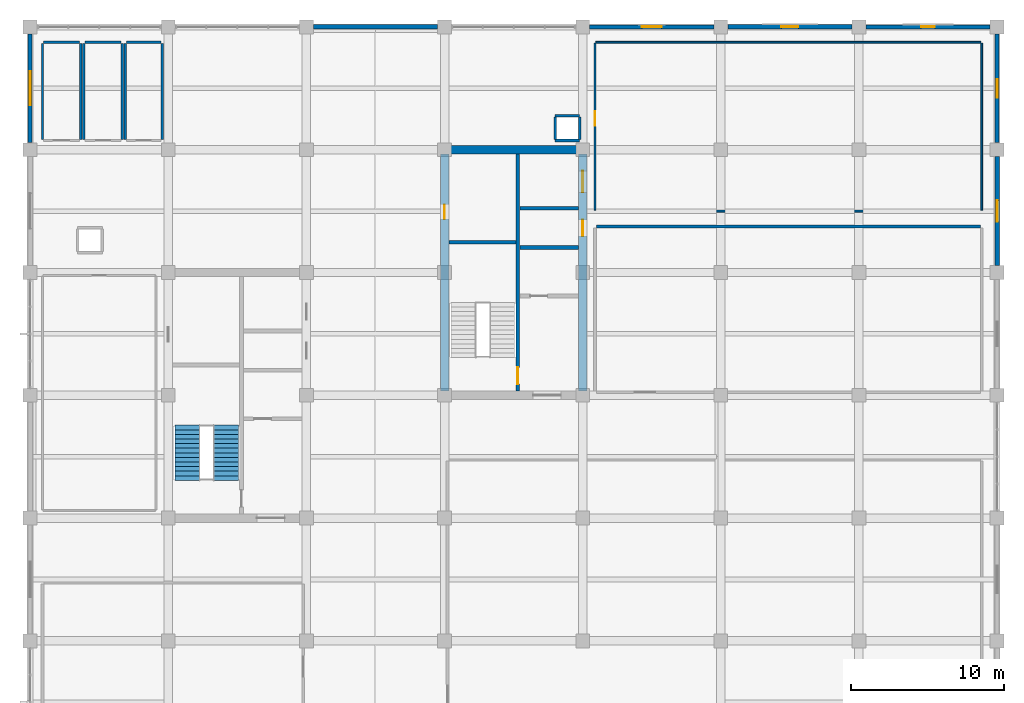
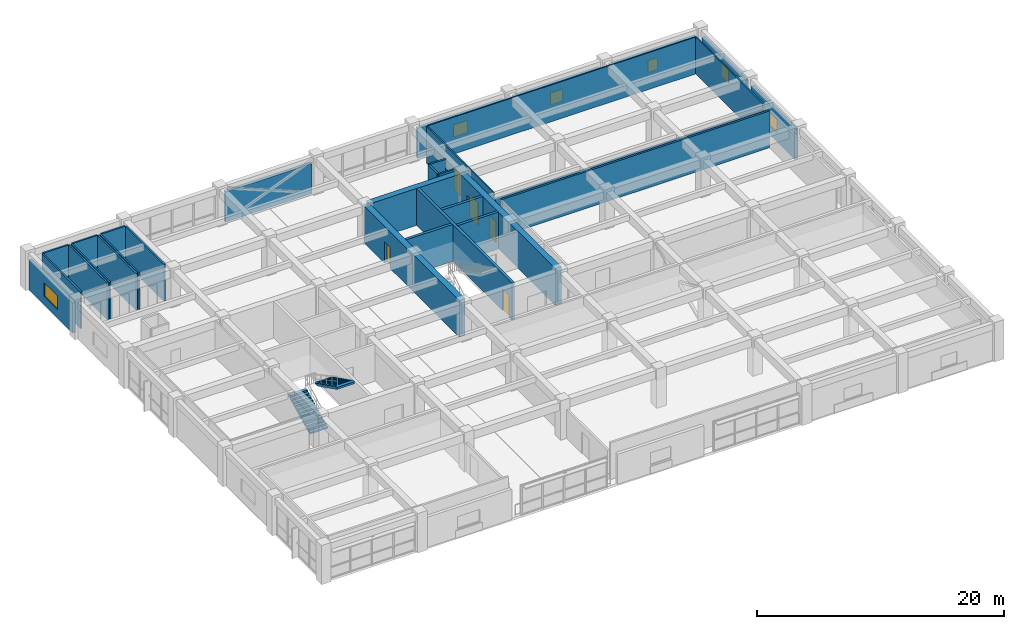
# One storey, part 14 of 16: 32 walls, 6 windows, 5 doors, 2 stair flights, 11 openings, 1 element without a shape of its own.
"""IFC4 building model written with IfcOpenShell, lengths in metres."""

from ifc_helpers import new_model, si_unit, direction, frame, frame_2d, origin, place, context, subcontext, project, spatial, polyline, rectangle, outline, extrude, material, layer, layer_set, type_object, element, fill, aggregate, save


model = new_model("IFC4")

# Units and contexts
model_context = context("Model", 3, precision=1e-05, world=origin(), true_north=direction((0.0, 1.0)))
body_context = subcontext(model_context, "Body", "Model", "MODEL_VIEW")
ifc_project = project(units=[si_unit("LENGTHUNIT", "METRE"), si_unit("AREAUNIT", "SQUARE_METRE"), si_unit("VOLUMEUNIT", "CUBIC_METRE"), si_unit("PLANEANGLEUNIT", "RADIAN"), si_unit("MASSUNIT", "GRAM", prefix="KILO")], contexts=[model_context])

# Site, building, storey
site_placement = place(None, origin())
site = spatial("IfcSite", under=ifc_project, at=site_placement, CompositionType="ELEMENT")
building_placement = place(site_placement, origin())
building = spatial("IfcBuilding", under=site, at=building_placement, Name="Zaverband Oceanarium and Marine Research Institute", CompositionType="ELEMENT")
storey_placement = place(building_placement, frame((0.0, 0.0, 29.699951171875)))
storey = spatial("IfcBuildingStorey", under=building, at=storey_placement, Name="L07", CompositionType="ELEMENT", Elevation=29.699951171875)

# Wall
ifc_material_1 = material(Name="Concrete C50/60", Category="concrete")
ifc_layer_1 = layer(ifc_material_1, 0.550048828125, Name="Concrete C50/60")
ifc_layer_set_1 = layer_set([ifc_layer_1], Name="Concrete C50/60")
wall_type_1 = type_object("IfcWallType", Name="CW-01", PredefinedType="SHEAR", material=ifc_layer_set_1)
wall_1_placement = place(storey_placement, frame((36.27490234375, 104.0, 0.0), z_axis=(0.0, 0.0, 1.0), x_axis=(1.0, 0.0, 0.0)))
element("IfcWall", 1, at=wall_1_placement, inside=storey, type_object=wall_type_1, Name="Structural shear wall CW-01", PredefinedType="SHEAR", context=body_context, shape_type="SweptSolid", body=[
    extrude(rectangle(XDim=8.4501953125, YDim=0.550048828125, at=frame_2d((4.22509765625, 0.0))), origin(), (0.0, 0.0, 1.0), 3.650146484375),
])

# Wall, opening, door
wall_2_placement = place(storey_placement, frame((36.0, 88.27490234375, 0.0), z_axis=(0.0, 0.0, 1.0), x_axis=(0.0, 1.0, 0.0)))
wall_2 = element("IfcWall", 2, at=wall_2_placement, inside=storey, type_object=wall_type_1, Name="Structural shear wall CW-01", PredefinedType="SHEAR", context=body_context, shape_type="SweptSolid", body=[
    extrude(rectangle(XDim=15.4501953125, YDim=0.550048828125, at=frame_2d((7.72509765625, 0.0))), origin(), (0.0, 0.0, 1.0), 3.650146484375),
])
opening_1_placement = place(wall_2_placement, frame((11.199951171875, 0.0, 0.0)))
opening_1 = element("IfcOpeningElement", 3, at=opening_1_placement, cuts=wall_2, Name="Opening FD-03", PredefinedType="OPENING", context=body_context, shape_type="SweptSolid", body=[
    extrude(rectangle(XDim=0.949951171875, YDim=2.10009765625, at=frame_2d((0.47509765625, 1.050048828125))), frame((0.0, 0.287109375, 0.0), z_axis=(0.0, -1.0, 0.0), x_axis=(1.0, 0.0, 0.0)), (0.0, 0.0, 1.0), 0.573974609375),
])
ifc_material_2 = material(Name="Steel S355", Category="steel")
door_type_1 = type_object("IfcDoorType", Name="FD-03", OperationType="NOTDEFINED", PredefinedType="DOOR", material=ifc_material_2)
door_1_placement = place(opening_1_placement, origin())
door_1 = element("IfcDoor", 4, at=door_1_placement, inside=storey, type_object=door_type_1, Name="Service riser access fire door FD-03", OperationType="SINGLE_SWING_RIGHT", OverallHeight=2.10009765625, OverallWidth=0.949951171875, PredefinedType="DOOR", context=body_context, shape_type="SweptSolid", body=[
    extrude(rectangle(XDim=0.949951171875, YDim=2.10009765625, at=frame_2d((0.47509765625, 1.050048828125))), frame((0.0, 0.02490234375, 0.0), z_axis=(0.0, -1.0, 0.0), x_axis=(1.0, 0.0, 0.0)), (0.0, 0.0, 1.0), 0.050048828125),
])
fill(opening_1, door_1)

# Wall, openings, doors
wall_3_placement = place(storey_placement, frame((45.0, 88.27490234375, 0.0), z_axis=(0.0, 0.0, 1.0), x_axis=(0.0, 1.0, 0.0)))
wall_3 = element("IfcWall", 5, at=wall_3_placement, inside=storey, type_object=wall_type_1, Name="Structural shear wall CW-01", PredefinedType="SHEAR", context=body_context, shape_type="SweptSolid", body=[
    extrude(rectangle(XDim=15.4501953125, YDim=0.550048828125, at=frame_2d((7.72509765625, 0.0))), origin(), (0.0, 0.0, 1.0), 3.650146484375),
])
opening_2_placement = place(wall_3_placement, frame((10.10009765625, 0.0, 0.0)))
opening_2 = element("IfcOpeningElement", 6, at=opening_2_placement, cuts=wall_3, Name="Opening LD-02", PredefinedType="OPENING", context=body_context, shape_type="SweptSolid", body=[
    extrude(rectangle(XDim=1.050048828125, YDim=2.1201171875, at=frame_2d((0.52490234375, 1.06005859375))), frame((0.0, 0.287109375, 0.0), z_axis=(0.0, -1.0, 0.0), x_axis=(1.0, 0.0, 0.0)), (0.0, 0.0, 1.0), 0.573974609375),
])
opening_3_placement = place(wall_3_placement, frame((12.949951171875, 0.0, 0.0)))
opening_3 = element("IfcOpeningElement", 7, at=opening_3_placement, cuts=wall_3, Name="Opening LD-03", PredefinedType="OPENING", context=body_context, shape_type="SweptSolid", body=[
    extrude(rectangle(XDim=1.39990234375, YDim=2.199951171875, at=frame_2d((0.699951171875, 1.10009765625))), frame((0.0, 0.287109375, 0.0), z_axis=(0.0, -1.0, 0.0), x_axis=(1.0, 0.0, 0.0)), (0.0, 0.0, 1.0), 0.573974609375),
])
door_type_2 = type_object("IfcDoorType", Name="LD-02", OperationType="DOUBLE_DOOR_SLIDING", PredefinedType="DOOR", material=ifc_material_2)
door_2_placement = place(opening_2_placement, origin())
door_2 = element("IfcDoor", 8, at=door_2_placement, inside=storey, type_object=door_type_2, Name="Passenger lift sliding landing door LD-02", OperationType="DOUBLE_DOOR_SLIDING", OverallHeight=2.1201171875, OverallWidth=1.050048828125, PredefinedType="DOOR", context=body_context, shape_type="SweptSolid", body=[
    extrude(rectangle(XDim=1.050048828125, YDim=2.1201171875, at=frame_2d((0.52490234375, 1.06005859375))), frame((0.0, 0.02490234375, 0.0), z_axis=(0.0, -1.0, 0.0), x_axis=(1.0, 0.0, 0.0)), (0.0, 0.0, 1.0), 0.050048828125),
])
fill(opening_2, door_2)
door_type_3 = type_object("IfcDoorType", Name="LD-03", OperationType="DOUBLE_DOOR_SLIDING", PredefinedType="DOOR", material=ifc_material_2)
door_3_placement = place(opening_3_placement, origin())
door_3 = element("IfcDoor", 9, at=door_3_placement, inside=storey, type_object=door_type_3, Name="Specimen goods lift sliding landing door LD-03", OperationType="DOUBLE_DOOR_SLIDING", OverallHeight=2.199951171875, OverallWidth=1.39990234375, PredefinedType="DOOR", context=body_context, shape_type="SweptSolid", body=[
    extrude(rectangle(XDim=1.39990234375, YDim=2.199951171875, at=frame_2d((0.699951171875, 1.10009765625))), frame((0.0, 0.02490234375, 0.0), z_axis=(0.0, -1.0, 0.0), x_axis=(1.0, 0.0, 0.0)), (0.0, 0.0, 1.0), 0.050048828125),
])
fill(opening_3, door_3)

# Wall, opening, window
ifc_material_3 = material(Name="Concrete C40/50 precast", Category="concrete")
ifc_layer_2 = layer(ifc_material_3, 0.264892578125, Name="Concrete C40/50 precast")
ifc_layer_set_2 = layer_set([ifc_layer_2], Name="Concrete C40/50 precast")
wall_type_2 = type_object("IfcWallType", Name="EW-265", PredefinedType="STANDARD", material=ifc_layer_set_2)
wall_4_placement = place(storey_placement, frame((45.455078125, 112.0, 0.0), z_axis=(0.0, 0.0, 1.0), x_axis=(1.0, 0.0, 0.0)))
wall_4 = element("IfcWall", 10, at=wall_4_placement, inside=storey, type_object=wall_type_2, Name="Exterior infill wall EW-265", PredefinedType="STANDARD", context=body_context, shape_type="SweptSolid", body=[
    extrude(rectangle(XDim=8.08984375, YDim=0.264892578125, at=frame_2d((4.044921875, 0.0))), origin(), (0.0, 0.0, 1.0), 2.97998046875),
])
opening_4_placement = place(wall_4_placement, frame((3.39501953125, 0.0, 0.85009765625)))
opening_4 = element("IfcOpeningElement", 11, at=opening_4_placement, cuts=wall_4, Name="Opening WN-1300x1200", PredefinedType="OPENING", context=body_context, shape_type="SweptSolid", body=[
    extrude(rectangle(XDim=1.300048828125, YDim=1.199951171875, at=frame_2d((0.64990234375, 0.60009765625))), frame((0.0, 0.14453125, 0.0), z_axis=(0.0, -1.0, 0.0), x_axis=(1.0, 0.0, 0.0)), (0.0, 0.0, 1.0), 0.288818359375),
])
ifc_material_4 = material(Name="Thermally broken anodized aluminium and solar-control glass", Category="aluminium")
window_type_1 = type_object("IfcWindowType", Name="WN-1300x1200", PartitioningType="SINGLE_PANEL", PredefinedType="WINDOW", material=ifc_material_4)
window_1_placement = place(opening_4_placement, origin())
window_1 = element("IfcWindow", 12, at=window_1_placement, inside=storey, type_object=window_type_1, Name="Fixed / casement exterior window WN-1300x1200", OverallHeight=1.199951171875, OverallWidth=1.300048828125, PartitioningType="SINGLE_PANEL", PredefinedType="WINDOW", context=body_context, shape_type="SweptSolid", body=[
    extrude(rectangle(XDim=1.300048828125, YDim=1.199951171875, at=frame_2d((0.64990234375, 0.60009765625))), frame((0.0, 0.030029296875, 0.0), z_axis=(0.0, -1.0, 0.0), x_axis=(1.0, 0.0, 0.0)), (0.0, 0.0, 1.0), 0.06005859375),
])
fill(opening_4, window_1)

wall_5_placement = place(storey_placement, frame((63.455078125, 112.0, 0.0), z_axis=(0.0, 0.0, 1.0), x_axis=(1.0, 0.0, 0.0)))
wall_5 = element("IfcWall", 13, at=wall_5_placement, inside=storey, type_object=wall_type_2, Name="Exterior infill wall EW-265", PredefinedType="STANDARD", context=body_context, shape_type="SweptSolid", body=[
    extrude(rectangle(XDim=8.08984375, YDim=0.264892578125, at=frame_2d((4.044921875, 0.0))), origin(), (0.0, 0.0, 1.0), 2.97998046875),
])
opening_5_placement = place(wall_5_placement, frame((3.594970703125, 0.0, 0.85009765625)))
opening_5 = element("IfcOpeningElement", 14, at=opening_5_placement, cuts=wall_5, Name="Opening WN-900x1200", PredefinedType="OPENING", context=body_context, shape_type="SweptSolid", body=[
    extrude(rectangle(XDim=0.89990234375, YDim=1.199951171875, at=frame_2d((0.449951171875, 0.60009765625))), frame((0.0, 0.14453125, 0.0), z_axis=(0.0, -1.0, 0.0), x_axis=(1.0, 0.0, 0.0)), (0.0, 0.0, 1.0), 0.288818359375),
])
window_type_2 = type_object("IfcWindowType", Name="WN-900x1200", PartitioningType="SINGLE_PANEL", PredefinedType="WINDOW", material=ifc_material_4)
window_2_placement = place(opening_5_placement, origin())
window_2 = element("IfcWindow", 15, at=window_2_placement, inside=storey, type_object=window_type_2, Name="Fixed / casement exterior window WN-900x1200", OverallHeight=1.199951171875, OverallWidth=0.89990234375, PartitioningType="SINGLE_PANEL", PredefinedType="WINDOW", context=body_context, shape_type="SweptSolid", body=[
    extrude(rectangle(XDim=0.89990234375, YDim=1.199951171875, at=frame_2d((0.449951171875, 0.60009765625))), frame((0.0, 0.030029296875, 0.0), z_axis=(0.0, -1.0, 0.0), x_axis=(1.0, 0.0, 0.0)), (0.0, 0.0, 1.0), 0.06005859375),
])
fill(opening_5, window_2)

wall_6_placement = place(storey_placement, frame((9.0, 104.455078125, 0.0), z_axis=(0.0, 0.0, 1.0), x_axis=(0.0, 1.0, 0.0)))
wall_6 = element("IfcWall", 16, at=wall_6_placement, inside=storey, type_object=wall_type_2, Name="Exterior infill wall EW-265", PredefinedType="STANDARD", context=body_context, shape_type="SweptSolid", body=[
    extrude(rectangle(XDim=7.08984375, YDim=0.264892578125, at=frame_2d((3.544921875, 0.0))), origin(), (0.0, 0.0, 1.0), 2.97998046875),
])
opening_6_placement = place(wall_6_placement, frame((2.445068359375, 0.0, 0.85009765625)))
opening_6 = element("IfcOpeningElement", 17, at=opening_6_placement, cuts=wall_6, Name="Opening WN-2200x1350", PredefinedType="OPENING", context=body_context, shape_type="SweptSolid", body=[
    extrude(rectangle(XDim=2.199951171875, YDim=1.35009765625, at=frame_2d((1.10009765625, 0.675048828125))), frame((0.0, 0.14453125, 0.0), z_axis=(0.0, -1.0, 0.0), x_axis=(1.0, 0.0, 0.0)), (0.0, 0.0, 1.0), 0.288818359375),
])
window_type_3 = type_object("IfcWindowType", Name="WN-2200x1350", PartitioningType="SINGLE_PANEL", PredefinedType="WINDOW", material=ifc_material_4)
window_3_placement = place(opening_6_placement, origin())
window_3 = element("IfcWindow", 18, at=window_3_placement, inside=storey, type_object=window_type_3, Name="Fixed / casement exterior window WN-2200x1350", OverallHeight=1.35009765625, OverallWidth=2.199951171875, PartitioningType="SINGLE_PANEL", PredefinedType="WINDOW", context=body_context, shape_type="SweptSolid", body=[
    extrude(rectangle(XDim=2.199951171875, YDim=1.35009765625, at=frame_2d((1.10009765625, 0.675048828125))), frame((0.0, 0.030029296875, 0.0), z_axis=(0.0, -1.0, 0.0), x_axis=(1.0, 0.0, 0.0)), (0.0, 0.0, 1.0), 0.06005859375),
])
fill(opening_6, window_3)

wall_7_placement = place(storey_placement, frame((72.0, 104.455078125, 0.0), z_axis=(0.0, 0.0, 1.0), x_axis=(0.0, 1.0, 0.0)))
wall_7 = element("IfcWall", 19, at=wall_7_placement, inside=storey, type_object=wall_type_2, Name="Exterior infill wall EW-265", PredefinedType="STANDARD", context=body_context, shape_type="SweptSolid", body=[
    extrude(rectangle(XDim=7.08984375, YDim=0.264892578125, at=frame_2d((3.544921875, 0.0))), origin(), (0.0, 0.0, 1.0), 2.97998046875),
])
opening_7_placement = place(wall_7_placement, frame((2.945068359375, 0.0, 0.85009765625)))
opening_7 = element("IfcOpeningElement", 20, at=opening_7_placement, cuts=wall_7, Name="Opening WN-1200x1350", PredefinedType="OPENING", context=body_context, shape_type="SweptSolid", body=[
    extrude(rectangle(XDim=1.199951171875, YDim=1.35009765625, at=frame_2d((0.60009765625, 0.675048828125))), frame((0.0, 0.14453125, 0.0), z_axis=(0.0, -1.0, 0.0), x_axis=(1.0, 0.0, 0.0)), (0.0, 0.0, 1.0), 0.288818359375),
])
window_type_4 = type_object("IfcWindowType", Name="WN-1200x1350", PartitioningType="SINGLE_PANEL", PredefinedType="WINDOW", material=ifc_material_4)
window_4_placement = place(opening_7_placement, origin())
window_4 = element("IfcWindow", 21, at=window_4_placement, inside=storey, type_object=window_type_4, Name="Fixed / casement exterior window WN-1200x1350", OverallHeight=1.35009765625, OverallWidth=1.199951171875, PartitioningType="SINGLE_PANEL", PredefinedType="WINDOW", context=body_context, shape_type="SweptSolid", body=[
    extrude(rectangle(XDim=1.199951171875, YDim=1.35009765625, at=frame_2d((0.60009765625, 0.675048828125))), frame((0.0, 0.030029296875, 0.0), z_axis=(0.0, -1.0, 0.0), x_axis=(1.0, 0.0, 0.0)), (0.0, 0.0, 1.0), 0.06005859375),
])
fill(opening_7, window_4)

# Wall
ifc_layer_3 = layer(ifc_material_3, 0.2900390625, Name="Concrete C40/50 precast")
ifc_layer_set_3 = layer_set([ifc_layer_3], Name="Concrete C40/50 precast")
wall_type_3 = type_object("IfcWallType", Name="EW-290", PredefinedType="STANDARD", material=ifc_layer_set_3)
wall_8_placement = place(storey_placement, frame((27.455078125, 112.0, 0.0), z_axis=(0.0, 0.0, 1.0), x_axis=(1.0, 0.0, 0.0)))
element("IfcWall", 22, at=wall_8_placement, inside=storey, type_object=wall_type_3, Name="Exterior infill wall EW-290", PredefinedType="STANDARD", context=body_context, shape_type="SweptSolid", body=[
    extrude(rectangle(XDim=8.08984375, YDim=0.2900390625, at=frame_2d((4.044921875, 0.0))), origin(), (0.0, 0.0, 1.0), 2.97998046875),
])

# Wall, opening, window
wall_9_placement = place(storey_placement, frame((54.455078125, 112.0, 0.0), z_axis=(0.0, 0.0, 1.0), x_axis=(1.0, 0.0, 0.0)))
wall_9 = element("IfcWall", 23, at=wall_9_placement, inside=storey, type_object=wall_type_3, Name="Exterior infill wall EW-290", PredefinedType="STANDARD", context=body_context, shape_type="SweptSolid", body=[
    extrude(rectangle(XDim=8.08984375, YDim=0.2900390625, at=frame_2d((4.044921875, 0.0))), origin(), (0.0, 0.0, 1.0), 2.97998046875),
])
opening_8_placement = place(wall_9_placement, frame((3.4951171875, 0.0, 0.85009765625)))
opening_8 = element("IfcOpeningElement", 24, at=opening_8_placement, cuts=wall_9, Name="Opening WN-1100x1200", PredefinedType="OPENING", context=body_context, shape_type="SweptSolid", body=[
    extrude(rectangle(XDim=1.10009765625, YDim=1.199951171875, at=frame_2d((0.550048828125, 0.60009765625))), frame((0.0, 0.156982421875, 0.0), z_axis=(0.0, -1.0, 0.0), x_axis=(1.0, 0.0, 0.0)), (0.0, 0.0, 1.0), 0.31396484375),
])
window_type_5 = type_object("IfcWindowType", Name="WN-1100x1200", PartitioningType="SINGLE_PANEL", PredefinedType="WINDOW", material=ifc_material_4)
window_5_placement = place(opening_8_placement, origin())
window_5 = element("IfcWindow", 25, at=window_5_placement, inside=storey, type_object=window_type_5, Name="Fixed / casement exterior window WN-1100x1200", OverallHeight=1.199951171875, OverallWidth=1.10009765625, PartitioningType="SINGLE_PANEL", PredefinedType="WINDOW", context=body_context, shape_type="SweptSolid", body=[
    extrude(rectangle(XDim=1.10009765625, YDim=1.199951171875, at=frame_2d((0.550048828125, 0.60009765625))), frame((0.0, 0.030029296875, 0.0), z_axis=(0.0, -1.0, 0.0), x_axis=(1.0, 0.0, 0.0)), (0.0, 0.0, 1.0), 0.06005859375),
])
fill(opening_8, window_5)

wall_10_placement = place(storey_placement, frame((72.0, 96.455078125, 0.0), z_axis=(0.0, 0.0, 1.0), x_axis=(0.0, 1.0, 0.0)))
wall_10 = element("IfcWall", 26, at=wall_10_placement, inside=storey, type_object=wall_type_3, Name="Exterior infill wall EW-290", PredefinedType="STANDARD", context=body_context, shape_type="SweptSolid", body=[
    extrude(rectangle(XDim=7.08984375, YDim=0.2900390625, at=frame_2d((3.544921875, 0.0))), origin(), (0.0, 0.0, 1.0), 2.97998046875),
])
opening_9_placement = place(wall_10_placement, frame((2.844970703125, 0.0, 0.85009765625)))
opening_9 = element("IfcOpeningElement", 27, at=opening_9_placement, cuts=wall_10, Name="Opening WN-1400x1350", PredefinedType="OPENING", context=body_context, shape_type="SweptSolid", body=[
    extrude(rectangle(XDim=1.39990234375, YDim=1.35009765625, at=frame_2d((0.699951171875, 0.675048828125))), frame((0.0, 0.156982421875, 0.0), z_axis=(0.0, -1.0, 0.0), x_axis=(1.0, 0.0, 0.0)), (0.0, 0.0, 1.0), 0.31396484375),
])
window_type_6 = type_object("IfcWindowType", Name="WN-1400x1350", PartitioningType="SINGLE_PANEL", PredefinedType="WINDOW", material=ifc_material_4)
window_6_placement = place(opening_9_placement, origin())
window_6 = element("IfcWindow", 28, at=window_6_placement, inside=storey, type_object=window_type_6, Name="Fixed / casement exterior window WN-1400x1350", OverallHeight=1.35009765625, OverallWidth=1.39990234375, PartitioningType="SINGLE_PANEL", PredefinedType="WINDOW", context=body_context, shape_type="SweptSolid", body=[
    extrude(rectangle(XDim=1.39990234375, YDim=1.35009765625, at=frame_2d((0.699951171875, 0.675048828125))), frame((0.0, 0.030029296875, 0.0), z_axis=(0.0, -1.0, 0.0), x_axis=(1.0, 0.0, 0.0)), (0.0, 0.0, 1.0), 0.06005859375),
])
fill(opening_9, window_6)

# Walls
ifc_material_5 = material(Name="Insulated metal-stud office partition")
ifc_layer_4 = layer(ifc_material_5, 0.1201171875, Name="Insulated metal-stud office partition")
ifc_layer_set_4 = layer_set([ifc_layer_4], Name="Insulated metal-stud office partition")
wall_type_4 = type_object("IfcWallType", Name="PT-120-OF", PredefinedType="PARTITIONING", material=ifc_layer_set_4)
wall_11_placement = place(storey_placement, frame((45.860107421875, 100.0, 0.0), z_axis=(0.0, 0.0, 1.0), x_axis=(1.0, 0.0, 0.0)))
element("IfcWall", 29, at=wall_11_placement, inside=storey, type_object=wall_type_4, Name="Internal partition PT-120-OF", PredefinedType="PARTITIONING", context=body_context, shape_type="SweptSolid", body=[
    extrude(rectangle(XDim=25.079833984375, YDim=0.1201171875, at=frame_2d((12.5400390625, 0.0))), origin(), (0.0, 0.0, 1.0), 3.10009765625),
])
wall_12_placement = place(storey_placement, frame((45.860107421875, 111.0, 0.0), z_axis=(0.0, 0.0, 1.0), x_axis=(1.0, 0.0, 0.0)))
element("IfcWall", 30, at=wall_12_placement, inside=storey, type_object=wall_type_4, Name="Internal partition PT-120-OF", PredefinedType="PARTITIONING", context=body_context, shape_type="SweptSolid", body=[
    extrude(rectangle(XDim=25.079833984375, YDim=0.1201171875, at=frame_2d((12.5400390625, 0.0))), origin(), (0.0, 0.0, 1.0), 3.650146484375),
])

# Wall, opening, door
wall_13_placement = place(storey_placement, frame((45.800048828125, 100.06005859375, 0.0), z_axis=(0.0, 0.0, 1.0), x_axis=(0.0, 1.0, 0.0)))
wall_13 = element("IfcWall", 31, at=wall_13_placement, inside=storey, type_object=wall_type_4, Name="Internal partition PT-120-OF", PredefinedType="PARTITIONING", context=body_context, shape_type="SweptSolid", body=[
    extrude(rectangle(XDim=10.8798828125, YDim=0.1201171875, at=frame_2d((5.43994140625, 0.0))), origin(), (0.0, 0.0, 1.0), 3.650146484375),
])
opening_10_placement = place(wall_13_placement, frame((5.5, 0.0, 0.0)))
opening_10 = element("IfcOpeningElement", 32, at=opening_10_placement, cuts=wall_13, Name="Opening ID-960x2100", PredefinedType="OPENING", context=body_context, shape_type="SweptSolid", body=[
    extrude(rectangle(XDim=0.9599609375, YDim=2.10009765625, at=frame_2d((0.47998046875, 1.050048828125))), frame((0.0, 0.072021484375, 0.0), z_axis=(0.0, -1.0, 0.0), x_axis=(1.0, 0.0, 0.0)), (0.0, 0.0, 1.0), 0.14404296875),
])
ifc_material_6 = material(Name="Hardwood-veneered acoustic timber", Category="wood")
door_type_4 = type_object("IfcDoorType", Name="ID-960x2100", OperationType="NOTDEFINED", PredefinedType="DOOR", material=ifc_material_6)
door_4_placement = place(opening_10_placement, origin())
door_4 = element("IfcDoor", 33, at=door_4_placement, inside=storey, type_object=door_type_4, Name="Research write-up office door ID-960x2100", OperationType="SINGLE_SWING_RIGHT", OverallHeight=2.10009765625, OverallWidth=0.9599609375, PredefinedType="DOOR", context=body_context, shape_type="SweptSolid", body=[
    extrude(rectangle(XDim=0.9599609375, YDim=2.10009765625, at=frame_2d((0.47998046875, 1.050048828125))), frame((0.0, 0.02490234375, 0.0), z_axis=(0.0, -1.0, 0.0), x_axis=(1.0, 0.0, 0.0)), (0.0, 0.0, 1.0), 0.050048828125),
])
fill(opening_10, door_4)

# Walls
wall_14_placement = place(storey_placement, frame((71.0, 100.06005859375, 0.0), z_axis=(0.0, 0.0, 1.0), x_axis=(0.0, 1.0, 0.0)))
element("IfcWall", 34, at=wall_14_placement, inside=storey, type_object=wall_type_4, Name="Internal partition PT-120-OF", PredefinedType="PARTITIONING", context=body_context, shape_type="SweptSolid", body=[
    extrude(rectangle(XDim=10.8798828125, YDim=0.1201171875, at=frame_2d((5.43994140625, 0.0))), origin(), (0.0, 0.0, 1.0), 3.650146484375),
])
ifc_material_7 = material(Name="Ceramic-tiled wet-room blockwork", Category="masonry")
ifc_layer_5 = layer(ifc_material_7, 0.14990234375, Name="Ceramic-tiled wet-room blockwork")
ifc_layer_set_5 = layer_set([ifc_layer_5], Name="Ceramic-tiled wet-room blockwork")
wall_type_5 = type_object("IfcWallType", Name="PT-150-WC", PredefinedType="PARTITIONING", material=ifc_layer_set_5)
wall_15_placement = place(storey_placement, frame((9.875, 111.0, 0.0), z_axis=(0.0, 0.0, 1.0), x_axis=(1.0, 0.0, 0.0)))
element("IfcWall", 35, at=wall_15_placement, inside=storey, type_object=wall_type_5, Name="Internal partition PT-150-WC", PredefinedType="PARTITIONING", context=body_context, shape_type="SweptSolid", body=[
    extrude(rectangle(XDim=2.35009765625, YDim=0.14990234375, at=frame_2d((1.175048828125, 0.0))), origin(), (0.0, 0.0, 1.0), 3.650146484375),
])
for number, where, z_axis, x_axis, name in (
    (36, (9.800048828125, 104.675048828125, 0.0), (0.0, 0.0, 1.0), (0.0, 1.0, 0.0), "Internal partition PT-150-WC"),
    (37, (12.300048828125, 104.675048828125, 0.0), (0.0, 0.0, 1.0), (0.0, 1.0, 0.0), "Internal partition PT-150-WC"),
):
    element("IfcWall", number, at=place(storey_placement, frame(where, z_axis=z_axis, x_axis=x_axis)), inside=storey, type_object=wall_type_5, Name=name, PredefinedType="PARTITIONING", context=body_context, shape_type="SweptSolid", body=[
        extrude(rectangle(XDim=6.25, YDim=0.14990234375, at=frame_2d((3.125, 0.0))), origin(), (0.0, 0.0, 1.0), 3.650146484375),
    ])
wall_16_placement = place(storey_placement, frame((12.574951171875, 111.0, 0.0), z_axis=(0.0, 0.0, 1.0), x_axis=(1.0, 0.0, 0.0)))
element("IfcWall", 38, at=wall_16_placement, inside=storey, type_object=wall_type_5, Name="Internal partition PT-150-WC", PredefinedType="PARTITIONING", context=body_context, shape_type="SweptSolid", body=[
    extrude(rectangle(XDim=2.35009765625, YDim=0.14990234375, at=frame_2d((1.175048828125, 0.0))), origin(), (0.0, 0.0, 1.0), 3.650146484375),
])
for number, where, z_axis, x_axis, name in (
    (39, (12.5, 104.675048828125, 0.0), (0.0, 0.0, 1.0), (0.0, 1.0, 0.0), "Internal partition PT-150-WC"),
    (40, (15.0, 104.675048828125, 0.0), (0.0, 0.0, 1.0), (0.0, 1.0, 0.0), "Internal partition PT-150-WC"),
):
    element("IfcWall", number, at=place(storey_placement, frame(where, z_axis=z_axis, x_axis=x_axis)), inside=storey, type_object=wall_type_5, Name=name, PredefinedType="PARTITIONING", context=body_context, shape_type="SweptSolid", body=[
        extrude(rectangle(XDim=6.25, YDim=0.14990234375, at=frame_2d((3.125, 0.0))), origin(), (0.0, 0.0, 1.0), 3.650146484375),
    ])
wall_17_placement = place(storey_placement, frame((15.27490234375, 111.0, 0.0), z_axis=(0.0, 0.0, 1.0), x_axis=(1.0, 0.0, 0.0)))
element("IfcWall", 41, at=wall_17_placement, inside=storey, type_object=wall_type_5, Name="Internal partition PT-150-WC", PredefinedType="PARTITIONING", context=body_context, shape_type="SweptSolid", body=[
    extrude(rectangle(XDim=2.25, YDim=0.14990234375, at=frame_2d((1.125, 0.0))), origin(), (0.0, 0.0, 1.0), 3.650146484375),
])
for number, where, z_axis, x_axis, name in (
    (42, (15.199951171875, 104.675048828125, 0.0), (0.0, 0.0, 1.0), (0.0, 1.0, 0.0), "Internal partition PT-150-WC"),
    (43, (17.60009765625, 104.675048828125, 0.0), (0.0, 0.0, 1.0), (0.0, 1.0, 0.0), "Internal partition PT-150-WC"),
):
    element("IfcWall", number, at=place(storey_placement, frame(where, z_axis=z_axis, x_axis=x_axis)), inside=storey, type_object=wall_type_5, Name=name, PredefinedType="PARTITIONING", context=body_context, shape_type="SweptSolid", body=[
        extrude(rectangle(XDim=6.25, YDim=0.14990234375, at=frame_2d((3.125, 0.0))), origin(), (0.0, 0.0, 1.0), 3.650146484375),
    ])
ifc_material_8 = material(Name="Corridor rated drywall partition")
ifc_layer_6 = layer(ifc_material_8, 0.1650390625, Name="Corridor rated drywall partition")
ifc_layer_set_6 = layer_set([ifc_layer_6], Name="Corridor rated drywall partition")
wall_type_6 = type_object("IfcWallType", Name="PT-165-CR", PredefinedType="PARTITIONING", material=ifc_layer_set_6)
for number, where, z_axis, x_axis, name in (
    (44, (43.199951171875, 104.60009765625, 0.0), (0.0, 0.0, 1.0), (1.0, 0.0, 0.0), "Internal partition PT-165-CR"),
    (45, (43.199951171875, 106.199951171875, 0.0), (0.0, 0.0, 1.0), (1.0, 0.0, 0.0), "Internal partition PT-165-CR"),
):
    element("IfcWall", number, at=place(storey_placement, frame(where, z_axis=z_axis, x_axis=x_axis)), inside=storey, type_object=wall_type_6, Name=name, PredefinedType="PARTITIONING", context=body_context, shape_type="SweptSolid", body=[
        extrude(rectangle(XDim=1.60009765625, YDim=0.1650390625, at=frame_2d((0.800048828125, 0.0))), origin(), (0.0, 0.0, 1.0), 3.650146484375),
    ])
wall_18_placement = place(storey_placement, frame((43.199951171875, 104.679931640625, 0.0), z_axis=(0.0, 0.0, 1.0), x_axis=(0.0, 1.0, 0.0)))
element("IfcWall", 46, at=wall_18_placement, inside=storey, type_object=wall_type_6, Name="Internal partition PT-165-CR", PredefinedType="PARTITIONING", context=body_context, shape_type="SweptSolid", body=[
    extrude(rectangle(XDim=1.440185546875, YDim=0.1650390625, at=frame_2d((0.72021484375, 0.0))), origin(), (0.0, 0.0, 1.0), 3.650146484375),
])
wall_19_placement = place(storey_placement, frame((44.800048828125, 104.679931640625, 0.0), z_axis=(0.0, 0.0, 1.0), x_axis=(0.0, 1.0, 0.0)))
element("IfcWall", 47, at=wall_19_placement, inside=storey, type_object=wall_type_6, Name="Internal partition PT-165-CR", PredefinedType="PARTITIONING", context=body_context, shape_type="SweptSolid", body=[
    extrude(rectangle(XDim=1.440185546875, YDim=0.1650390625, at=frame_2d((0.72021484375, 0.0))), origin(), (0.0, 0.0, 1.0), 2.85009765625),
])
ifc_material_9 = material(Name="Moisture-resistant laboratory blockwork", Category="masonry")
ifc_layer_7 = layer(ifc_material_9, 0.179931640625, Name="Moisture-resistant laboratory blockwork")
ifc_layer_set_7 = layer_set([ifc_layer_7], Name="Moisture-resistant laboratory blockwork")
wall_type_7 = type_object("IfcWallType", Name="PT-180-LB", PredefinedType="PARTITIONING", material=ifc_layer_set_7)
wall_20_placement = place(storey_placement, frame((45.889892578125, 99.0, 0.0), z_axis=(0.0, 0.0, 1.0), x_axis=(1.0, 0.0, 0.0)))
element("IfcWall", 48, at=wall_20_placement, inside=storey, type_object=wall_type_7, Name="Internal partition PT-180-LB", PredefinedType="PARTITIONING", context=body_context, shape_type="SweptSolid", body=[
    extrude(rectangle(XDim=25.02001953125, YDim=0.179931640625, at=frame_2d((12.510009765625, 0.0))), origin(), (0.0, 0.0, 1.0), 3.650146484375),
])

# Wall, opening, door
ifc_layer_8 = layer(ifc_material_1, 0.25, Name="Concrete C50/60")
ifc_layer_set_8 = layer_set([ifc_layer_8], Name="Concrete C50/60")
wall_type_8 = type_object("IfcWallType", Name="PW-CORE-250", PredefinedType="SOLIDWALL", material=ifc_layer_set_8)
wall_21_placement = place(storey_placement, frame((40.77490234375, 88.27490234375, 0.0), z_axis=(0.0, 0.0, 1.0), x_axis=(0.0, 1.0, 0.0)))
wall_21 = element("IfcWall", 49, at=wall_21_placement, inside=storey, type_object=wall_type_8, Name="Structural concrete wall PW-CORE-250", PredefinedType="SOLIDWALL", context=body_context, shape_type="SweptSolid", body=[
    extrude(rectangle(XDim=15.4501953125, YDim=0.25, at=frame_2d((7.72509765625, 0.0))), origin(), (0.0, 0.0, 1.0), 3.650146484375),
])
opening_11_placement = place(wall_21_placement, frame((0.449951171875, 0.0, 0.0)))
opening_11 = element("IfcOpeningElement", 50, at=opening_11_placement, cuts=wall_21, Name="Opening FD-01", PredefinedType="OPENING", context=body_context, shape_type="SweptSolid", body=[
    extrude(rectangle(XDim=1.10009765625, YDim=2.14990234375, at=frame_2d((0.550048828125, 1.074951171875))), frame((0.0, 0.136962890625, 0.0), z_axis=(0.0, -1.0, 0.0), x_axis=(1.0, 0.0, 0.0)), (0.0, 0.0, 1.0), 0.27392578125),
])
door_type_5 = type_object("IfcDoorType", Name="FD-01", OperationType="NOTDEFINED", PredefinedType="DOOR", material=ifc_material_2)
door_5_placement = place(opening_11_placement, origin())
door_5 = element("IfcDoor", 51, at=door_5_placement, inside=storey, type_object=door_type_5, Name="Core stair / lobby fire door FD-01", OperationType="SINGLE_SWING_RIGHT", OverallHeight=2.14990234375, OverallWidth=1.10009765625, PredefinedType="DOOR", context=body_context, shape_type="SweptSolid", body=[
    extrude(rectangle(XDim=1.10009765625, YDim=2.14990234375, at=frame_2d((0.550048828125, 1.074951171875))), frame((0.0, 0.02490234375, 0.0), z_axis=(0.0, -1.0, 0.0), x_axis=(1.0, 0.0, 0.0)), (0.0, 0.0, 1.0), 0.050048828125),
])
fill(opening_11, door_5)

# Walls
wall_22_placement = place(storey_placement, frame((36.27490234375, 97.97509765625, 0.0), z_axis=(0.0, 0.0, 1.0), x_axis=(1.0, 0.0, 0.0)))
element("IfcWall", 52, at=wall_22_placement, inside=storey, type_object=wall_type_8, Name="Structural concrete wall PW-CORE-250", PredefinedType="SOLIDWALL", context=body_context, shape_type="SweptSolid", body=[
    extrude(rectangle(XDim=4.3701171875, YDim=0.25, at=frame_2d((2.18505859375, 0.0))), origin(), (0.0, 0.0, 1.0), 3.650146484375),
])
for number, where, z_axis, x_axis, name in (
    (53, (40.905029296875, 97.6298828125, 0.0), (0.0, 0.0, 1.0), (1.0, 0.0, 0.0), "Structural concrete wall PW-CORE-250"),
    (54, (40.905029296875, 100.179931640625, 0.0), (0.0, 0.0, 1.0), (1.0, 0.0, 0.0), "Structural concrete wall PW-CORE-250"),
):
    element("IfcWall", number, at=place(storey_placement, frame(where, z_axis=z_axis, x_axis=x_axis)), inside=storey, type_object=wall_type_8, Name=name, PredefinedType="SOLIDWALL", context=body_context, shape_type="SweptSolid", body=[
        extrude(rectangle(XDim=3.820068359375, YDim=0.25, at=frame_2d((1.91015625, 0.0))), origin(), (0.0, 0.0, 1.0), 3.650146484375),
    ])

# Stair, stair flights
ifc_material_10 = material(Name="Concrete C40/50", Category="concrete")
stair_type = type_object("IfcStairType", Name="STR-TWR-1650-3900", PredefinedType="HALF_TURN_STAIR", material=ifc_material_10)
stair_placement = place(storey_placement, origin())
stair = element("IfcStair", 55, at=stair_placement, inside=storey, type_object=stair_type, Name="Exit Stair ST-01 (L07)", PredefinedType="HALF_TURN_STAIR")
stair_flight_type = type_object("IfcStairFlightType", Name="STR-TWR-1650-3900-FL", PredefinedType="STRAIGHT", material=ifc_material_10)
stair_flight_1_placement = place(storey_placement, frame((19.2548828125, 82.449951171875, 0.0), z_axis=(0.0, 0.0, 1.0), x_axis=(0.0, 1.0, 0.0)))
stair_flight_1 = element("IfcStairFlight", 56, at=stair_flight_1_placement, type_object=stair_flight_type, Name="Reinforced concrete stair flight ST-01-F1", NumberOfRisers=13, NumberOfTreads=12, PredefinedType="STRAIGHT", RiserHeight=0.15, TreadLength=0.3, context=body_context, shape_type="SweptSolid", body=[
    extrude(outline(polyline([(0.0, 0.0), (0.0, 0.14990234375), (0.300048828125, 0.14990234375), (0.300048828125, 0.300048828125), (0.60009765625, 0.300048828125), (0.60009765625, 0.449951171875), (0.89990234375, 0.449951171875), (0.89990234375, 0.60009765625), (1.199951171875, 0.60009765625), (1.199951171875, 0.75), (1.5, 0.75), (1.5, 0.89990234375), (1.800048828125, 0.89990234375), (1.800048828125, 1.050048828125), (2.10009765625, 1.050048828125), (2.10009765625, 1.199951171875), (2.39990234375, 1.199951171875), (2.39990234375, 1.35009765625), (2.699951171875, 1.35009765625), (2.699951171875, 1.5), (3.0, 1.5), (3.0, 1.64990234375), (3.300048828125, 1.64990234375), (3.300048828125, 1.800048828125), (3.60009765625, 1.800048828125), (3.60009765625, 1.949951171875), (3.60009765625, 1.598876953125), (0.40234375, 0.0), (0.0, 0.0)])), frame((0.0, 0.824951171875, 0.0), z_axis=(0.0, -1.0, 0.0), x_axis=(1.0, 0.0, 0.0)), (0.0, 0.0, 1.0), 1.64990234375),
])
stair_flight_2_placement = place(storey_placement, frame((21.7451171875, 86.050048828125, 1.949951171875), z_axis=(0.0, 0.0, 1.0), x_axis=(0.0, -1.0, 0.0)))
stair_flight_2 = element("IfcStairFlight", 57, at=stair_flight_2_placement, type_object=stair_flight_type, Name="Reinforced concrete stair flight ST-01-F2", NumberOfRisers=13, NumberOfTreads=12, PredefinedType="STRAIGHT", RiserHeight=0.15, TreadLength=0.3, context=body_context, shape_type="SweptSolid", body=[
    extrude(outline(polyline([(0.0, 0.0), (0.0, 0.14990234375), (0.300048828125, 0.14990234375), (0.300048828125, 0.300048828125), (0.60009765625, 0.300048828125), (0.60009765625, 0.449951171875), (0.89990234375, 0.449951171875), (0.89990234375, 0.60009765625), (1.199951171875, 0.60009765625), (1.199951171875, 0.75), (1.5, 0.75), (1.5, 0.89990234375), (1.800048828125, 0.89990234375), (1.800048828125, 1.050048828125), (2.10009765625, 1.050048828125), (2.10009765625, 1.199951171875), (2.39990234375, 1.199951171875), (2.39990234375, 1.35009765625), (2.699951171875, 1.35009765625), (2.699951171875, 1.5), (3.0, 1.5), (3.0, 1.64990234375), (3.300048828125, 1.64990234375), (3.300048828125, 1.800048828125), (3.60009765625, 1.800048828125), (3.60009765625, 1.949951171875), (3.60009765625, 1.598876953125), (0.40234375, 0.0), (0.0, 0.0)])), frame((0.0, 0.824951171875, 0.0), z_axis=(0.0, -1.0, 0.0), x_axis=(1.0, 0.0, 0.0)), (0.0, 0.0, 1.0), 1.64990234375),
])
aggregate(stair, [stair_flight_1, stair_flight_2])

save(model, "model.ifc")
